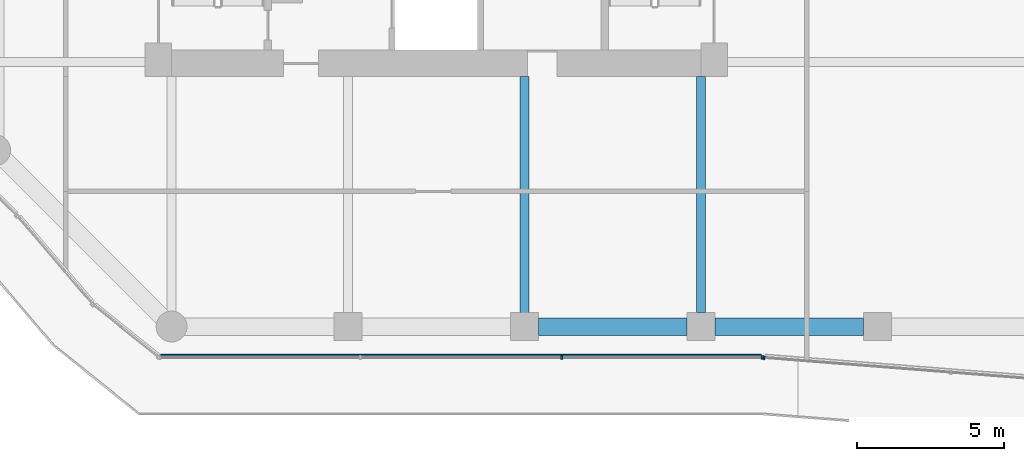
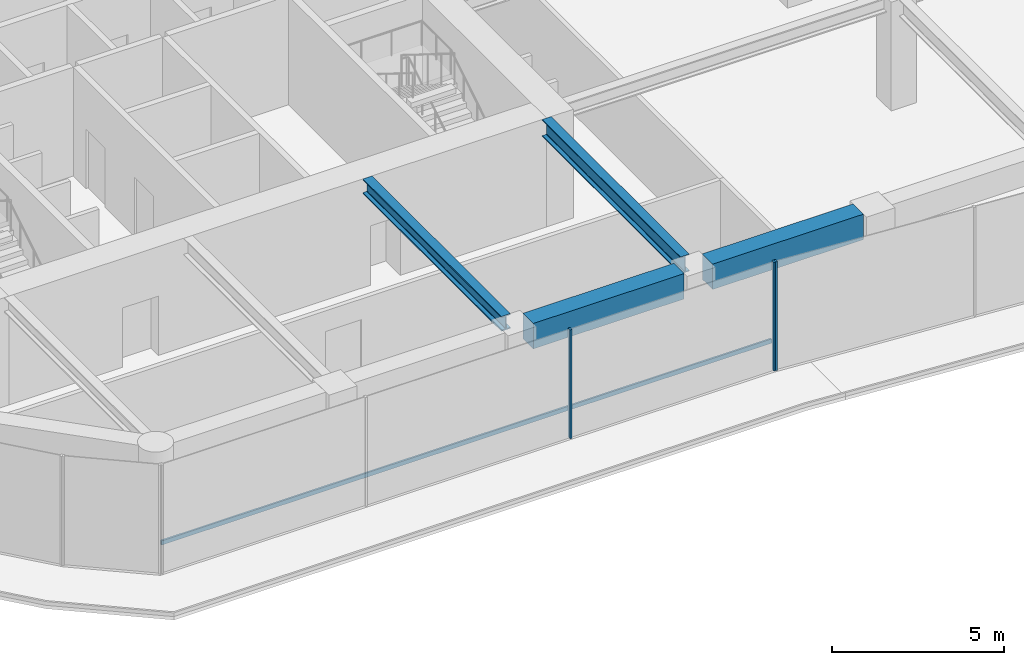
# One storey, part 3 of 29: 4 beams, 4 members, 2 elements without a shape of their own.
"""IFC4 building model written with IfcOpenShell, lengths in metres."""

from ifc_helpers import new_model, si_unit, direction, frame, origin, origin_2d, place, context, subcontext, project, spatial, rectangle, i_section, extrude, material, layer, layer_set, material_profile, profile_set, type_object, element, aggregate, save


model = new_model("IFC4")

# Units and contexts
model_context = context("Model", 3, precision=1e-05, world=origin(), true_north=direction((0.0, 1.0)))
body_context = subcontext(model_context, "Body", "Model", "MODEL_VIEW")
ifc_project = project(units=[si_unit("LENGTHUNIT", "METRE"), si_unit("AREAUNIT", "SQUARE_METRE"), si_unit("VOLUMEUNIT", "CUBIC_METRE"), si_unit("PLANEANGLEUNIT", "RADIAN"), si_unit("MASSUNIT", "GRAM", prefix="KILO")], contexts=[model_context])

# Site, building, storey
site_placement = place(None, origin())
site = spatial("IfcSite", under=ifc_project, at=site_placement, CompositionType="ELEMENT")
building_placement = place(site_placement, origin())
building = spatial("IfcBuilding", under=site, at=building_placement, Name="Welwitschia Terrace Campus", CompositionType="ELEMENT")
storey_placement = place(building_placement, frame((0.0, 0.0, 33.199951171875)))
storey = spatial("IfcBuildingStorey", under=building, at=storey_placement, Name="L07", CompositionType="ELEMENT", Elevation=33.199951171875)

# Beam
ifc_material_1 = material(Name="Steel S355", Category="steel")
ifc_material_profile_1 = material_profile(ifc_material_1, i_section(OverallWidth=0.305908203125, OverallDepth=0.52392578125, WebThickness=0.02099609375, FlangeThickness=0.0400390625, FilletRadius=0.027099609375, at=origin_2d()))
ifc_profile_set_1 = profile_set([ifc_material_profile_1], Name="Steel S355")
beam_type_1 = type_object("IfcBeamType", Name="Interior girder HE 500 M", PredefinedType="BEAM", material=ifc_profile_set_1)
beam_1_placement = place(storey_placement, frame((18.0, -3.534423828125, 3.588134765625), z_axis=(0.0, 1.0, 0.0), x_axis=(-1.0, 0.0, 0.0)))
element("IfcBeam", 1, at=beam_1_placement, inside=storey, type_object=beam_type_1, Name="Girder GB2", PredefinedType="BEAM", context=body_context, shape_type="SweptSolid", body=[
    extrude(i_section(OverallWidth=0.305908203125, OverallDepth=0.52392578125, WebThickness=0.02099609375, FlangeThickness=0.0400390625, FilletRadius=0.027099609375, at=origin_2d()), origin(), (0.0, 0.0, 1.0), 8.033447265625),
])

# Curtain wall, members
ifc_material_2 = material(Name="Bronze anodised aluminium", Category="aluminium")
ifc_layer = layer(ifc_material_2, 0.1201171875)
ifc_layer_set = layer_set([ifc_layer], Name="Bronze anodised aluminium")
curtain_wall_type = type_object("IfcCurtainWallType", Name="Curtain wall CW2 tower 6000", PredefinedType="NOTDEFINED", material=ifc_layer_set)
curtain_wall_1_placement = place(storey_placement, origin())
curtain_wall_1 = element("IfcCurtainWall", 2, at=curtain_wall_1_placement, inside=storey, type_object=curtain_wall_type, Name="CW L07.5.0", PredefinedType="NOTDEFINED")
ifc_material_3 = material(Name="Bronze anodised aluminium", Category="aluminium")
ifc_material_profile_2 = material_profile(ifc_material_3, rectangle(XDim=0.1201171875, YDim=0.06005859375, at=origin_2d()))
ifc_profile_set_2 = profile_set([ifc_material_profile_2], Name="Bronze anodised aluminium")
member_type_1 = type_object("IfcMemberType", Name="Mullion 60x120", PredefinedType="MULLION", material=ifc_profile_set_2)
member_1_placement = place(storey_placement, frame((19.265625, -5.05810546875, 0.0), z_axis=(0.0, 0.0, 1.0), x_axis=(0.0, 1.0, 0.0)))
member_1 = element("IfcMember", 3, at=member_1_placement, type_object=member_type_1, Name="Mullion L07.5.0.2", PredefinedType="MULLION", context=body_context, shape_type="SweptSolid", body=[
    extrude(rectangle(XDim=0.1201171875, YDim=0.06005859375, at=origin_2d()), origin(), (0.0, 0.0, 1.0), 3.85009765625),
])
member_2_placement = place(storey_placement, frame((26.085693359375, -5.05810546875, 0.0), z_axis=(0.0, 0.0, 1.0), x_axis=(0.0, 1.0, 0.0)))
member_2 = element("IfcMember", 4, at=member_2_placement, type_object=member_type_1, Name="Mullion L07.5.0.3", PredefinedType="MULLION", context=body_context, shape_type="SweptSolid", body=[
    extrude(rectangle(XDim=0.1201171875, YDim=0.06005859375, at=origin_2d()), origin(), (0.0, 0.0, 1.0), 3.85009765625),
])

# Curtain wall, member
curtain_wall_2_placement = place(storey_placement, origin())
curtain_wall_2 = element("IfcCurtainWall", 5, at=curtain_wall_2_placement, inside=storey, type_object=curtain_wall_type, Name="CW L07.6.0", PredefinedType="NOTDEFINED")
member_3_placement = place(storey_placement, frame((26.1455078125, -5.060302734375, 0.0), z_axis=(0.0, 0.0, 1.0), x_axis=(0.078459095728, 0.996917333733, 0.0)))
member_3 = element("IfcMember", 6, at=member_3_placement, type_object=member_type_1, Name="Mullion L07.6.0.0", PredefinedType="MULLION", context=body_context, shape_type="SweptSolid", body=[
    extrude(rectangle(XDim=0.1201171875, YDim=0.06005859375, at=origin_2d()), origin(), (0.0, 0.0, 1.0), 3.85009765625),
])
aggregate(curtain_wall_2, [member_3])

# Beams
ifc_material_4 = material(Name="Steel S355", Category="steel")
ifc_material_profile_3 = material_profile(ifc_material_4, i_section(OverallWidth=0.300048828125, OverallDepth=0.60009765625, WebThickness=0.015380859375, FlangeThickness=0.030029296875, FilletRadius=0.027099609375, at=origin_2d()))
ifc_profile_set_3 = profile_set([ifc_material_profile_3], Name="Steel S355")
beam_type_2 = type_object("IfcBeamType", Name="Primary beam HE 600 B", PredefinedType="BEAM", material=ifc_profile_set_3)
beam_2_placement = place(storey_placement, frame((24.0, -3.5244140625, 3.550048828125), z_axis=(0.0, 1.0, 0.0), x_axis=(-1.0, 0.0, 0.0)))
element("IfcBeam", 7, at=beam_2_placement, inside=storey, type_object=beam_type_2, Name="Primary beam PB2", PredefinedType="BEAM", context=body_context, shape_type="SweptSolid", body=[
    extrude(i_section(OverallWidth=0.300048828125, OverallDepth=0.60009765625, WebThickness=0.015380859375, FlangeThickness=0.030029296875, FilletRadius=0.027099609375, at=origin_2d()), origin(), (0.0, 0.0, 1.0), 8.0244140625),
])
ifc_material_5 = material(Name="Concrete C60/75", Category="concrete")
ifc_material_profile_4 = material_profile(ifc_material_5, rectangle(XDim=0.60009765625, YDim=0.89990234375, at=origin_2d()))
ifc_profile_set_4 = profile_set([ifc_material_profile_4], Name="Concrete C60/75")
beam_type_3 = type_object("IfcBeamType", Name="Ring spandrel 600x900", PredefinedType="SPANDREL", material=ifc_profile_set_4)
for number, where, z_axis, x_axis, name in (
    (8, (18.4755859375, -4.0, 3.400146484375), (1.0, 0.0, 0.0), (0.0, 1.0, 0.0), "Spandrel SP2"),
    (9, (24.4755859375, -4.0, 3.400146484375), (1.0, 0.0, 0.0), (0.0, 1.0, 0.0), "Spandrel SP2"),
):
    element("IfcBeam", number, at=place(storey_placement, frame(where, z_axis=z_axis, x_axis=x_axis)), inside=storey, type_object=beam_type_3, Name=name, PredefinedType="SPANDREL", context=body_context, shape_type="SweptSolid", body=[
        extrude(rectangle(XDim=0.60009765625, YDim=0.89990234375, at=origin_2d()), origin(), (0.0, 0.0, 1.0), 5.048828125),
    ])

# Member
ifc_material_6 = material(Name="Bronze anodised aluminium", Category="aluminium")
ifc_material_profile_5 = material_profile(ifc_material_6, rectangle(XDim=0.06005859375, YDim=0.14990234375, at=origin_2d()))
ifc_profile_set_5 = profile_set([ifc_material_profile_5], Name="Bronze anodised aluminium")
member_type_2 = type_object("IfcMemberType", Name="Transom 60x150", PredefinedType="USERDEFINED", material=ifc_profile_set_5)
member_4_placement = place(storey_placement, frame((5.62548828125, -4.968017578125, 1.0), z_axis=(1.0, 0.0, 0.0), x_axis=(0.0, 1.0, 0.0)))
member_4 = element("IfcMember", 10, at=member_4_placement, type_object=member_type_2, Name="Transom L07.5.0", ObjectType="TRANSOM", PredefinedType="USERDEFINED", context=body_context, shape_type="SweptSolid", body=[
    extrude(rectangle(XDim=0.06005859375, YDim=0.14990234375, at=origin_2d()), origin(), (0.0, 0.0, 1.0), 20.43017578125),
])

aggregate(curtain_wall_1, [member_1, member_2, member_4])

save(model, "model.ifc")
